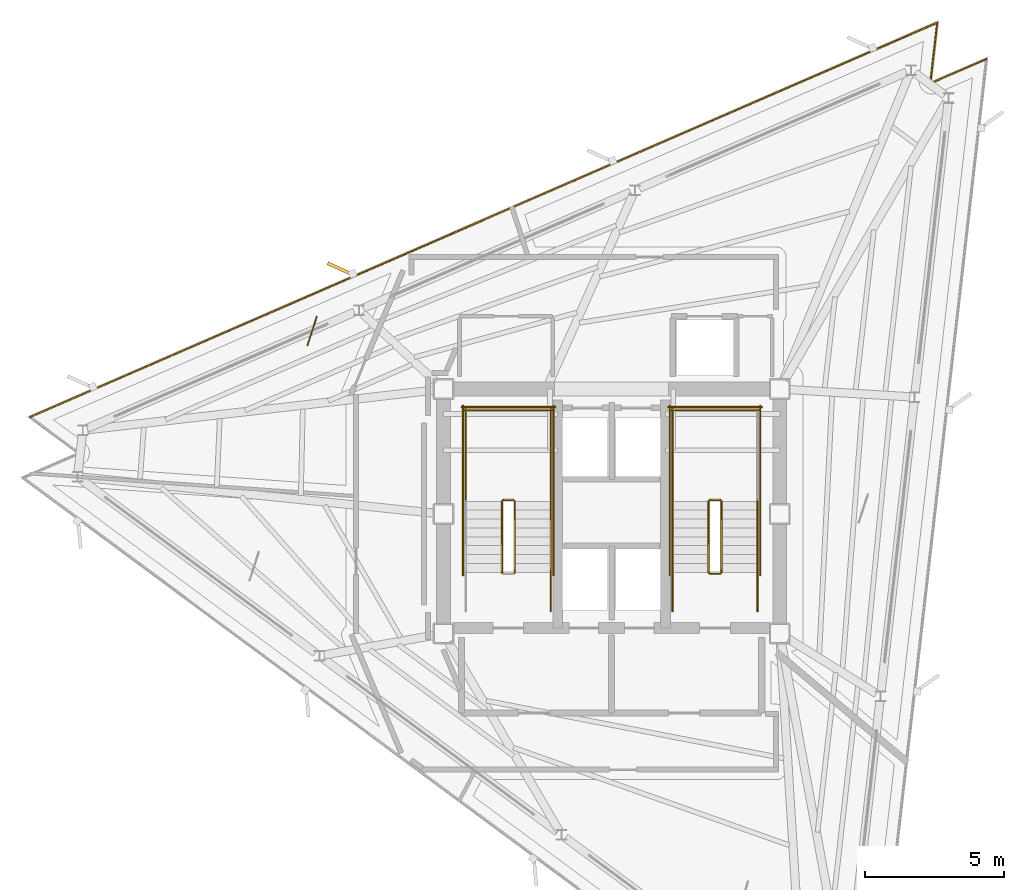
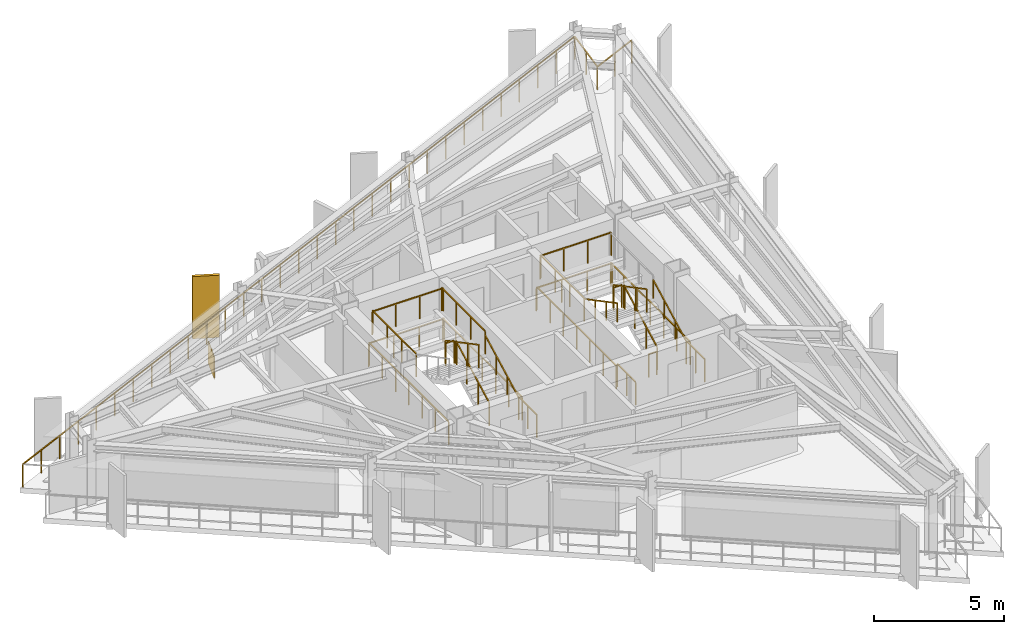
# One storey, part 8 of 9: 25 railings, 1 covering, 1 shading device.
"""IFC4 building model written with IfcOpenShell, lengths in metres."""

from ifc_helpers import new_model, si_unit, direction, frame, origin, origin_2d, place, context, subcontext, project, spatial, rectangle, extrude, material, layer, layer_set, type_object, element, save


model = new_model("IFC4")

# Units and contexts
model_context = context("Model", 3, precision=1e-05, world=origin(), true_north=direction((0.0, 1.0)))
body_context = subcontext(model_context, "Body", "Model", "MODEL_VIEW")
ifc_project = project(units=[si_unit("LENGTHUNIT", "METRE"), si_unit("AREAUNIT", "SQUARE_METRE"), si_unit("VOLUMEUNIT", "CUBIC_METRE"), si_unit("PLANEANGLEUNIT", "RADIAN"), si_unit("MASSUNIT", "GRAM", prefix="KILO")], contexts=[model_context])

# Site, building, storey
site_placement = place(None, origin())
site = spatial("IfcSite", under=ifc_project, at=site_placement, CompositionType="ELEMENT")
building_placement = place(site_placement, origin())
building = spatial("IfcBuilding", under=site, at=building_placement, Name="Rocaltana Carrier Exchange", CompositionType="ELEMENT")
storey_placement = place(building_placement, frame((0.0, 0.0, 233.1201171875)))
storey = spatial("IfcBuildingStorey", under=building, at=storey_placement, Name="L74", CompositionType="ELEMENT", Elevation=233.1201171875)

# Railings
ifc_material_1 = material(Name="Brushed Architectural Stainless Tube", Category="steel")
ifc_layer_1 = layer(ifc_material_1, 0.048095703125)
ifc_layer_set_1 = layer_set([ifc_layer_1], Name="Brushed Architectural Stainless Tube")
railing_type_1 = type_object("IfcRailingType", Name="Stair Wall Handrail 920", PredefinedType="HANDRAIL", material=ifc_layer_set_1)
for number, where, name in (
    (1, (-2.18994140625, -2.10009765625, 0.168701171875), "L74 ST-1 stair handrail 1"),
    (2, (5.25, -2.10009765625, 0.168701171875), "L74 ST-2 stair handrail 1"),
):
    element("IfcRailing", number, at=place(storey_placement, frame(where)), inside=storey, type_object=railing_type_1, Name=name, PredefinedType="HANDRAIL", context=body_context, shape_type="SweptSolid", body=[
        extrude(rectangle(XDim=0.048095703125, YDim=0.048095703125, at=origin_2d()), frame((0.0, 0.0, 0.8759765625), z_axis=(0.0, 0.884394423565, 0.466740295633), x_axis=(-1.0, 0.0, 0.0)), (0.0, 0.0, 1.0), 2.894775390625),
        extrude(rectangle(XDim=0.0419921875, YDim=0.0419921875, at=origin_2d()), origin(), (0.0, 0.0, 1.0), 0.851806640625),
        extrude(rectangle(XDim=0.0419921875, YDim=0.0419921875, at=origin_2d()), frame((0.0, 0.853271484375, 0.450439453125)), (0.0, 0.0, 1.0), 0.851806640625),
        extrude(rectangle(XDim=0.0419921875, YDim=0.0419921875, at=origin_2d()), frame((0.0, 1.706787109375, 0.900634765625)), (0.0, 0.0, 1.0), 0.851806640625),
        extrude(rectangle(XDim=0.0419921875, YDim=0.0419921875, at=origin_2d()), frame((0.0, 2.56005859375, 1.35107421875)), (0.0, 0.0, 1.0), 0.851806640625),
    ])
railing_1_placement = place(storey_placement, frame((2.18994140625, 0.4599609375, 1.688720703125)))
element("IfcRailing", 3, at=railing_1_placement, inside=storey, type_object=railing_type_1, Name="L74 ST-2 stair handrail 2", PredefinedType="HANDRAIL", context=body_context, shape_type="SweptSolid", body=[
    extrude(rectangle(XDim=0.048095703125, YDim=0.048095703125, at=origin_2d()), frame((0.0, 0.0, 0.8759765625), z_axis=(0.0, -0.884394423565, 0.466740295633), x_axis=(1.0, 0.0, 0.0)), (0.0, 0.0, 1.0), 2.894775390625),
    extrude(rectangle(XDim=0.0419921875, YDim=0.0419921875, at=origin_2d()), origin(), (0.0, 0.0, 1.0), 0.851806640625),
    extrude(rectangle(XDim=0.0419921875, YDim=0.0419921875, at=origin_2d()), frame((0.0, -0.853271484375, 0.450439453125)), (0.0, 0.0, 1.0), 0.851806640625),
    extrude(rectangle(XDim=0.0419921875, YDim=0.0419921875, at=origin_2d()), frame((0.0, -1.706787109375, 0.900634765625)), (0.0, 0.0, 1.0), 0.851806640625),
    extrude(rectangle(XDim=0.0419921875, YDim=0.0419921875, at=origin_2d()), frame((0.0, -2.56005859375, 1.35107421875)), (0.0, 0.0, 1.0), 0.851806640625),
])
ifc_material_2 = material(Name="Powder-Coated Aluminium 6063-T6", Category="aluminium")
ifc_layer_2 = layer(ifc_material_2, 0.048095703125)
ifc_layer_set_2 = layer_set([ifc_layer_2], Name="Powder-Coated Aluminium 6063-T6")
railing_type_2 = type_object("IfcRailingType", Name="Stair Well Guardrail 1100", PredefinedType="GUARDRAIL", material=ifc_layer_set_2)
railing_2_placement = place(storey_placement, frame((-3.489990234375, -2.10009765625, 0.168701171875)))
element("IfcRailing", 4, at=railing_2_placement, inside=storey, type_object=railing_type_2, Name="L74 ST-1 stair guard 1", PredefinedType="GUARDRAIL", context=body_context, shape_type="SweptSolid", body=[
    extrude(rectangle(XDim=0.048095703125, YDim=0.048095703125, at=origin_2d()), frame((0.0, 0.0, 1.076171875), z_axis=(0.0, 0.884394423565, 0.466740295633), x_axis=(-1.0, 0.0, 0.0)), (0.0, 0.0, 1.0), 2.894775390625),
    extrude(rectangle(XDim=0.0419921875, YDim=0.0419921875, at=origin_2d()), origin(), (0.0, 0.0, 1.0), 1.052001953125),
    extrude(rectangle(XDim=0.0419921875, YDim=0.0419921875, at=origin_2d()), frame((0.0, 0.853271484375, 0.450439453125)), (0.0, 0.0, 1.0), 1.052001953125),
    extrude(rectangle(XDim=0.0419921875, YDim=0.0419921875, at=origin_2d()), frame((0.0, 1.706787109375, 0.900634765625)), (0.0, 0.0, 1.0), 1.052001953125),
    extrude(rectangle(XDim=0.0419921875, YDim=0.0419921875, at=origin_2d()), frame((0.0, 2.56005859375, 1.35107421875)), (0.0, 0.0, 1.0), 1.052001953125),
])
railing_3_placement = place(storey_placement, frame((-3.5400390625, 0.510009765625, 1.519775390625)))
element("IfcRailing", 5, at=railing_3_placement, inside=storey, type_object=railing_type_2, Name="L74 ST-1 stair guard 2", PredefinedType="GUARDRAIL", context=body_context, shape_type="SweptSolid", body=[
    extrude(rectangle(XDim=0.048095703125, YDim=0.048095703125, at=origin_2d()), frame((0.0, 0.0, 1.076171875), z_axis=(-1.0, 0.0, 0.0), x_axis=(0.0, -1.0, 0.0)), (0.0, 0.0, 1.0), 0.35986328125),
    extrude(rectangle(XDim=0.0419921875, YDim=0.0419921875, at=origin_2d()), origin(), (0.0, 0.0, 1.0), 1.052001953125),
    extrude(rectangle(XDim=0.0419921875, YDim=0.0419921875, at=origin_2d()), frame((-0.35986328125, 0.0, 0.0)), (0.0, 0.0, 1.0), 1.052001953125),
])
for number, where, name in (
    (6, (-2.18994140625, 0.4599609375, 1.519775390625), "L74 ST-1 stair guard 3"),
    (7, (-5.25, 0.4599609375, 1.519775390625), "L74 ST-1 stair guard 4"),
):
    element("IfcRailing", number, at=place(storey_placement, frame(where)), inside=storey, type_object=railing_type_2, Name=name, PredefinedType="GUARDRAIL", context=body_context, shape_type="SweptSolid", body=[
        extrude(rectangle(XDim=0.048095703125, YDim=0.048095703125, at=origin_2d()), frame((0.0, 0.0, 1.076171875), z_axis=(0.0, 1.0, 0.0), x_axis=(-1.0, 0.0, 0.0)), (0.0, 0.0, 1.0), 3.340087890625),
        extrude(rectangle(XDim=0.0419921875, YDim=0.0419921875, at=origin_2d()), origin(), (0.0, 0.0, 1.0), 1.052001953125),
        extrude(rectangle(XDim=0.0419921875, YDim=0.0419921875, at=origin_2d()), frame((0.0, 1.11328125, 0.0)), (0.0, 0.0, 1.0), 1.052001953125),
        extrude(rectangle(XDim=0.0419921875, YDim=0.0419921875, at=origin_2d()), frame((0.0, 2.226806640625, 0.0)), (0.0, 0.0, 1.0), 1.052001953125),
        extrude(rectangle(XDim=0.0419921875, YDim=0.0419921875, at=origin_2d()), frame((0.0, 3.340087890625, 0.0)), (0.0, 0.0, 1.0), 1.052001953125),
    ])
railing_4_placement = place(storey_placement, frame((-2.139892578125, 3.75, 1.519775390625)))
element("IfcRailing", 8, at=railing_4_placement, inside=storey, type_object=railing_type_2, Name="L74 ST-1 stair guard 5", PredefinedType="GUARDRAIL", context=body_context, shape_type="SweptSolid", body=[
    extrude(rectangle(XDim=0.048095703125, YDim=0.048095703125, at=origin_2d()), frame((0.0, 0.0, 1.076171875), z_axis=(-1.0, 0.0, 0.0), x_axis=(0.0, -1.0, 0.0)), (0.0, 0.0, 1.0), 3.16015625),
    extrude(rectangle(XDim=0.0419921875, YDim=0.0419921875, at=origin_2d()), origin(), (0.0, 0.0, 1.0), 1.052001953125),
    extrude(rectangle(XDim=0.0419921875, YDim=0.0419921875, at=origin_2d()), frame((-1.053466796875, 0.0, 0.0)), (0.0, 0.0, 1.0), 1.052001953125),
    extrude(rectangle(XDim=0.0419921875, YDim=0.0419921875, at=origin_2d()), frame((-2.106689453125, 0.0, 0.0)), (0.0, 0.0, 1.0), 1.052001953125),
    extrude(rectangle(XDim=0.0419921875, YDim=0.0419921875, at=origin_2d()), frame((-3.16015625, 0.0, 0.0)), (0.0, 0.0, 1.0), 1.052001953125),
])
railing_5_placement = place(storey_placement, frame((-3.949951171875, 0.4599609375, 1.688720703125)))
element("IfcRailing", 9, at=railing_5_placement, inside=storey, type_object=railing_type_2, Name="L74 ST-1 stair guard 6", PredefinedType="GUARDRAIL", context=body_context, shape_type="SweptSolid", body=[
    extrude(rectangle(XDim=0.048095703125, YDim=0.048095703125, at=origin_2d()), frame((0.0, 0.0, 1.076171875), z_axis=(0.0, -0.884394423565, 0.466740295633), x_axis=(1.0, 0.0, 0.0)), (0.0, 0.0, 1.0), 2.894775390625),
    extrude(rectangle(XDim=0.0419921875, YDim=0.0419921875, at=origin_2d()), origin(), (0.0, 0.0, 1.0), 1.052001953125),
    extrude(rectangle(XDim=0.0419921875, YDim=0.0419921875, at=origin_2d()), frame((0.0, -0.853271484375, 0.450439453125)), (0.0, 0.0, 1.0), 1.052001953125),
    extrude(rectangle(XDim=0.0419921875, YDim=0.0419921875, at=origin_2d()), frame((0.0, -1.706787109375, 0.900634765625)), (0.0, 0.0, 1.0), 1.052001953125),
    extrude(rectangle(XDim=0.0419921875, YDim=0.0419921875, at=origin_2d()), frame((0.0, -2.56005859375, 1.35107421875)), (0.0, 0.0, 1.0), 1.052001953125),
])
railing_6_placement = place(storey_placement, frame((-2.18994140625, -3.5, 0.0)))
element("IfcRailing", 10, at=railing_6_placement, inside=storey, type_object=railing_type_2, Name="L74 ST-1 stair guard 8", PredefinedType="GUARDRAIL", context=body_context, shape_type="SweptSolid", body=[
    extrude(rectangle(XDim=0.048095703125, YDim=0.048095703125, at=origin_2d()), frame((0.0, 0.0, 1.076171875), z_axis=(0.0, 1.0, 0.0), x_axis=(-1.0, 0.0, 0.0)), (0.0, 0.0, 1.0), 1.39990234375),
    extrude(rectangle(XDim=0.0419921875, YDim=0.0419921875, at=origin_2d()), origin(), (0.0, 0.0, 1.0), 1.052001953125),
    extrude(rectangle(XDim=0.0419921875, YDim=0.0419921875, at=origin_2d()), frame((0.0, 0.699951171875, 0.0)), (0.0, 0.0, 1.0), 1.052001953125),
    extrude(rectangle(XDim=0.0419921875, YDim=0.0419921875, at=origin_2d()), frame((0.0, 1.39990234375, 0.0)), (0.0, 0.0, 1.0), 1.052001953125),
])
for number, where, name in (
    (11, (-2.090087890625, -2.199951171875, 0.0), "L74 ST-1 stair guard 10"),
    (12, (-5.35009765625, -2.199951171875, 0.0), "L74 ST-1 stair guard 11"),
):
    element("IfcRailing", number, at=place(storey_placement, frame(where)), inside=storey, type_object=railing_type_2, Name=name, PredefinedType="GUARDRAIL", context=body_context, shape_type="SweptSolid", body=[
        extrude(rectangle(XDim=0.048095703125, YDim=0.048095703125, at=origin_2d()), frame((0.0, 0.0, 1.076171875), z_axis=(0.0, 1.0, 0.0), x_axis=(-1.0, 0.0, 0.0)), (0.0, 0.0, 1.0), 6.099853515625),
        extrude(rectangle(XDim=0.0419921875, YDim=0.0419921875, at=origin_2d()), origin(), (0.0, 0.0, 1.0), 1.052001953125),
        extrude(rectangle(XDim=0.0419921875, YDim=0.0419921875, at=origin_2d()), frame((0.0, 1.0166015625, 0.0)), (0.0, 0.0, 1.0), 1.052001953125),
        extrude(rectangle(XDim=0.0419921875, YDim=0.0419921875, at=origin_2d()), frame((0.0, 2.033203125, 0.0)), (0.0, 0.0, 1.0), 1.052001953125),
        extrude(rectangle(XDim=0.0419921875, YDim=0.0419921875, at=origin_2d()), frame((0.0, 3.0498046875, 0.0)), (0.0, 0.0, 1.0), 1.052001953125),
        extrude(rectangle(XDim=0.0419921875, YDim=0.0419921875, at=origin_2d()), frame((0.0, 4.066650390625, 0.0)), (0.0, 0.0, 1.0), 1.052001953125),
        extrude(rectangle(XDim=0.0419921875, YDim=0.0419921875, at=origin_2d()), frame((0.0, 5.083251953125, 0.0)), (0.0, 0.0, 1.0), 1.052001953125),
        extrude(rectangle(XDim=0.0419921875, YDim=0.0419921875, at=origin_2d()), frame((0.0, 6.099853515625, 0.0)), (0.0, 0.0, 1.0), 1.052001953125),
    ])
railing_7_placement = place(storey_placement, frame((-2.0400390625, 3.85009765625, 0.0)))
element("IfcRailing", 13, at=railing_7_placement, inside=storey, type_object=railing_type_2, Name="L74 ST-1 stair guard 12", PredefinedType="GUARDRAIL", context=body_context, shape_type="SweptSolid", body=[
    extrude(rectangle(XDim=0.048095703125, YDim=0.048095703125, at=origin_2d()), frame((0.0, 0.0, 1.076171875), z_axis=(-1.0, 0.0, 0.0), x_axis=(0.0, -1.0, 0.0)), (0.0, 0.0, 1.0), 3.35986328125),
    extrude(rectangle(XDim=0.0419921875, YDim=0.0419921875, at=origin_2d()), origin(), (0.0, 0.0, 1.0), 1.052001953125),
    extrude(rectangle(XDim=0.0419921875, YDim=0.0419921875, at=origin_2d()), frame((-1.119873046875, 0.0, 0.0)), (0.0, 0.0, 1.0), 1.052001953125),
    extrude(rectangle(XDim=0.0419921875, YDim=0.0419921875, at=origin_2d()), frame((-2.239990234375, 0.0, 0.0)), (0.0, 0.0, 1.0), 1.052001953125),
    extrude(rectangle(XDim=0.0419921875, YDim=0.0419921875, at=origin_2d()), frame((-3.35986328125, 0.0, 0.0)), (0.0, 0.0, 1.0), 1.052001953125),
])
railing_8_placement = place(storey_placement, frame((3.949951171875, -2.10009765625, 0.168701171875)))
element("IfcRailing", 14, at=railing_8_placement, inside=storey, type_object=railing_type_2, Name="L74 ST-2 stair guard 1", PredefinedType="GUARDRAIL", context=body_context, shape_type="SweptSolid", body=[
    extrude(rectangle(XDim=0.048095703125, YDim=0.048095703125, at=origin_2d()), frame((0.0, 0.0, 1.076171875), z_axis=(0.0, 0.884394423565, 0.466740295633), x_axis=(-1.0, 0.0, 0.0)), (0.0, 0.0, 1.0), 2.894775390625),
    extrude(rectangle(XDim=0.0419921875, YDim=0.0419921875, at=origin_2d()), origin(), (0.0, 0.0, 1.0), 1.052001953125),
    extrude(rectangle(XDim=0.0419921875, YDim=0.0419921875, at=origin_2d()), frame((0.0, 0.853271484375, 0.450439453125)), (0.0, 0.0, 1.0), 1.052001953125),
    extrude(rectangle(XDim=0.0419921875, YDim=0.0419921875, at=origin_2d()), frame((0.0, 1.706787109375, 0.900634765625)), (0.0, 0.0, 1.0), 1.052001953125),
    extrude(rectangle(XDim=0.0419921875, YDim=0.0419921875, at=origin_2d()), frame((0.0, 2.56005859375, 1.35107421875)), (0.0, 0.0, 1.0), 1.052001953125),
])
railing_9_placement = place(storey_placement, frame((3.89990234375, 0.510009765625, 1.519775390625)))
element("IfcRailing", 15, at=railing_9_placement, inside=storey, type_object=railing_type_2, Name="L74 ST-2 stair guard 2", PredefinedType="GUARDRAIL", context=body_context, shape_type="SweptSolid", body=[
    extrude(rectangle(XDim=0.048095703125, YDim=0.048095703125, at=origin_2d()), frame((0.0, 0.0, 1.076171875), z_axis=(-1.0, 0.0, 0.0), x_axis=(0.0, -1.0, 0.0)), (0.0, 0.0, 1.0), 0.35986328125),
    extrude(rectangle(XDim=0.0419921875, YDim=0.0419921875, at=origin_2d()), origin(), (0.0, 0.0, 1.0), 1.052001953125),
    extrude(rectangle(XDim=0.0419921875, YDim=0.0419921875, at=origin_2d()), frame((-0.35986328125, 0.0, 0.0)), (0.0, 0.0, 1.0), 1.052001953125),
])
railing_10_placement = place(storey_placement, frame((2.18994140625, 0.4599609375, 1.519775390625)))
element("IfcRailing", 16, at=railing_10_placement, inside=storey, type_object=railing_type_2, Name="L74 ST-2 stair guard 4", PredefinedType="GUARDRAIL", context=body_context, shape_type="SweptSolid", body=[
    extrude(rectangle(XDim=0.048095703125, YDim=0.048095703125, at=origin_2d()), frame((0.0, 0.0, 1.076171875), z_axis=(0.0, 1.0, 0.0), x_axis=(-1.0, 0.0, 0.0)), (0.0, 0.0, 1.0), 3.340087890625),
    extrude(rectangle(XDim=0.0419921875, YDim=0.0419921875, at=origin_2d()), origin(), (0.0, 0.0, 1.0), 1.052001953125),
    extrude(rectangle(XDim=0.0419921875, YDim=0.0419921875, at=origin_2d()), frame((0.0, 1.11328125, 0.0)), (0.0, 0.0, 1.0), 1.052001953125),
    extrude(rectangle(XDim=0.0419921875, YDim=0.0419921875, at=origin_2d()), frame((0.0, 2.226806640625, 0.0)), (0.0, 0.0, 1.0), 1.052001953125),
    extrude(rectangle(XDim=0.0419921875, YDim=0.0419921875, at=origin_2d()), frame((0.0, 3.340087890625, 0.0)), (0.0, 0.0, 1.0), 1.052001953125),
])
railing_11_placement = place(storey_placement, frame((5.300048828125, 3.75, 1.519775390625)))
element("IfcRailing", 17, at=railing_11_placement, inside=storey, type_object=railing_type_2, Name="L74 ST-2 stair guard 5", PredefinedType="GUARDRAIL", context=body_context, shape_type="SweptSolid", body=[
    extrude(rectangle(XDim=0.048095703125, YDim=0.048095703125, at=origin_2d()), frame((0.0, 0.0, 1.076171875), z_axis=(-1.0, 0.0, 0.0), x_axis=(0.0, -1.0, 0.0)), (0.0, 0.0, 1.0), 3.16015625),
    extrude(rectangle(XDim=0.0419921875, YDim=0.0419921875, at=origin_2d()), origin(), (0.0, 0.0, 1.0), 1.052001953125),
    extrude(rectangle(XDim=0.0419921875, YDim=0.0419921875, at=origin_2d()), frame((-1.053466796875, 0.0, 0.0)), (0.0, 0.0, 1.0), 1.052001953125),
    extrude(rectangle(XDim=0.0419921875, YDim=0.0419921875, at=origin_2d()), frame((-2.106689453125, 0.0, 0.0)), (0.0, 0.0, 1.0), 1.052001953125),
    extrude(rectangle(XDim=0.0419921875, YDim=0.0419921875, at=origin_2d()), frame((-3.16015625, 0.0, 0.0)), (0.0, 0.0, 1.0), 1.052001953125),
])
railing_12_placement = place(storey_placement, frame((3.489990234375, 0.4599609375, 1.688720703125)))
element("IfcRailing", 18, at=railing_12_placement, inside=storey, type_object=railing_type_2, Name="L74 ST-2 stair guard 6", PredefinedType="GUARDRAIL", context=body_context, shape_type="SweptSolid", body=[
    extrude(rectangle(XDim=0.048095703125, YDim=0.048095703125, at=origin_2d()), frame((0.0, 0.0, 1.076171875), z_axis=(0.0, -0.884394423565, 0.466740295633), x_axis=(1.0, 0.0, 0.0)), (0.0, 0.0, 1.0), 2.894775390625),
    extrude(rectangle(XDim=0.0419921875, YDim=0.0419921875, at=origin_2d()), origin(), (0.0, 0.0, 1.0), 1.052001953125),
    extrude(rectangle(XDim=0.0419921875, YDim=0.0419921875, at=origin_2d()), frame((0.0, -0.853271484375, 0.450439453125)), (0.0, 0.0, 1.0), 1.052001953125),
    extrude(rectangle(XDim=0.0419921875, YDim=0.0419921875, at=origin_2d()), frame((0.0, -1.706787109375, 0.900634765625)), (0.0, 0.0, 1.0), 1.052001953125),
    extrude(rectangle(XDim=0.0419921875, YDim=0.0419921875, at=origin_2d()), frame((0.0, -2.56005859375, 1.35107421875)), (0.0, 0.0, 1.0), 1.052001953125),
])
railing_13_placement = place(storey_placement, frame((3.89990234375, -2.14990234375, 0.0)))
element("IfcRailing", 19, at=railing_13_placement, inside=storey, type_object=railing_type_2, Name="L74 ST-2 stair guard 7", PredefinedType="GUARDRAIL", context=body_context, shape_type="SweptSolid", body=[
    extrude(rectangle(XDim=0.048095703125, YDim=0.048095703125, at=origin_2d()), frame((0.0, 0.0, 1.076171875), z_axis=(-1.0, 0.0, 0.0), x_axis=(0.0, -1.0, 0.0)), (0.0, 0.0, 1.0), 0.35986328125),
    extrude(rectangle(XDim=0.0419921875, YDim=0.0419921875, at=origin_2d()), origin(), (0.0, 0.0, 1.0), 1.052001953125),
    extrude(rectangle(XDim=0.0419921875, YDim=0.0419921875, at=origin_2d()), frame((-0.35986328125, 0.0, 0.0)), (0.0, 0.0, 1.0), 1.052001953125),
])
for number, where, name in (
    (20, (5.25, -3.5, 0.0), "L74 ST-2 stair guard 8"),
    (21, (2.18994140625, -3.5, 0.0), "L74 ST-2 stair guard 9"),
):
    element("IfcRailing", number, at=place(storey_placement, frame(where)), inside=storey, type_object=railing_type_2, Name=name, PredefinedType="GUARDRAIL", context=body_context, shape_type="SweptSolid", body=[
        extrude(rectangle(XDim=0.048095703125, YDim=0.048095703125, at=origin_2d()), frame((0.0, 0.0, 1.076171875), z_axis=(0.0, 1.0, 0.0), x_axis=(-1.0, 0.0, 0.0)), (0.0, 0.0, 1.0), 1.39990234375),
        extrude(rectangle(XDim=0.0419921875, YDim=0.0419921875, at=origin_2d()), origin(), (0.0, 0.0, 1.0), 1.052001953125),
        extrude(rectangle(XDim=0.0419921875, YDim=0.0419921875, at=origin_2d()), frame((0.0, 0.699951171875, 0.0)), (0.0, 0.0, 1.0), 1.052001953125),
        extrude(rectangle(XDim=0.0419921875, YDim=0.0419921875, at=origin_2d()), frame((0.0, 1.39990234375, 0.0)), (0.0, 0.0, 1.0), 1.052001953125),
    ])
for number, where, name in (
    (22, (5.35009765625, -2.199951171875, 0.0), "L74 ST-2 stair guard 10"),
    (23, (2.090087890625, -2.199951171875, 0.0), "L74 ST-2 stair guard 11"),
):
    element("IfcRailing", number, at=place(storey_placement, frame(where)), inside=storey, type_object=railing_type_2, Name=name, PredefinedType="GUARDRAIL", context=body_context, shape_type="SweptSolid", body=[
        extrude(rectangle(XDim=0.048095703125, YDim=0.048095703125, at=origin_2d()), frame((0.0, 0.0, 1.076171875), z_axis=(0.0, 1.0, 0.0), x_axis=(-1.0, 0.0, 0.0)), (0.0, 0.0, 1.0), 6.099853515625),
        extrude(rectangle(XDim=0.0419921875, YDim=0.0419921875, at=origin_2d()), origin(), (0.0, 0.0, 1.0), 1.052001953125),
        extrude(rectangle(XDim=0.0419921875, YDim=0.0419921875, at=origin_2d()), frame((0.0, 1.0166015625, 0.0)), (0.0, 0.0, 1.0), 1.052001953125),
        extrude(rectangle(XDim=0.0419921875, YDim=0.0419921875, at=origin_2d()), frame((0.0, 2.033203125, 0.0)), (0.0, 0.0, 1.0), 1.052001953125),
        extrude(rectangle(XDim=0.0419921875, YDim=0.0419921875, at=origin_2d()), frame((0.0, 3.0498046875, 0.0)), (0.0, 0.0, 1.0), 1.052001953125),
        extrude(rectangle(XDim=0.0419921875, YDim=0.0419921875, at=origin_2d()), frame((0.0, 4.066650390625, 0.0)), (0.0, 0.0, 1.0), 1.052001953125),
        extrude(rectangle(XDim=0.0419921875, YDim=0.0419921875, at=origin_2d()), frame((0.0, 5.083251953125, 0.0)), (0.0, 0.0, 1.0), 1.052001953125),
        extrude(rectangle(XDim=0.0419921875, YDim=0.0419921875, at=origin_2d()), frame((0.0, 6.099853515625, 0.0)), (0.0, 0.0, 1.0), 1.052001953125),
    ])
railing_14_placement = place(storey_placement, frame((5.39990234375, 3.85009765625, 0.0)))
element("IfcRailing", 24, at=railing_14_placement, inside=storey, type_object=railing_type_2, Name="L74 ST-2 stair guard 12", PredefinedType="GUARDRAIL", context=body_context, shape_type="SweptSolid", body=[
    extrude(rectangle(XDim=0.048095703125, YDim=0.048095703125, at=origin_2d()), frame((0.0, 0.0, 1.076171875), z_axis=(-1.0, 0.0, 0.0), x_axis=(0.0, -1.0, 0.0)), (0.0, 0.0, 1.0), 3.35986328125),
    extrude(rectangle(XDim=0.0419921875, YDim=0.0419921875, at=origin_2d()), origin(), (0.0, 0.0, 1.0), 1.052001953125),
    extrude(rectangle(XDim=0.0419921875, YDim=0.0419921875, at=origin_2d()), frame((-1.119873046875, 0.0, 0.0)), (0.0, 0.0, 1.0), 1.052001953125),
    extrude(rectangle(XDim=0.0419921875, YDim=0.0419921875, at=origin_2d()), frame((-2.239990234375, 0.0, 0.0)), (0.0, 0.0, 1.0), 1.052001953125),
    extrude(rectangle(XDim=0.0419921875, YDim=0.0419921875, at=origin_2d()), frame((-3.35986328125, 0.0, 0.0)), (0.0, 0.0, 1.0), 1.052001953125),
])

# Covering
ifc_material_3 = material(Name="Honed Piedra Muneca Sandstone", Category="masonry")
ifc_layer_3 = layer(ifc_material_3, 0.034912109375)
ifc_layer_set_3 = layer_set([ifc_layer_3], Name="Honed Piedra Muneca Sandstone")
covering_type = type_object("IfcCoveringType", Name="Stone Facade Cladding 35", PredefinedType="CLADDING", material=ifc_layer_set_3)
covering_placement = place(storey_placement, frame((-10.77978515625, 6.5869140625, 0.0), z_axis=(0.0, 0.0, 1.0), x_axis=(0.309016994375, 0.951056516295, 0.0)))
element("IfcCovering", 25, at=covering_placement, inside=storey, type_object=covering_type, Name="L74 Stone Facade Cladding Panel 4", PredefinedType="CLADDING", context=body_context, shape_type="SweptSolid", body=[
    extrude(rectangle(XDim=1.10009765625, YDim=0.034912109375, at=origin_2d()), origin(), (0.0, 0.0, 1.0), 1.050048828125),
])

# Shading device
ifc_material_4 = material(Name="Honed Bogota Sandstone & Concrete C45/55", Category="masonry")
ifc_layer_4 = layer(ifc_material_4, 0.1201171875)
ifc_layer_set_4 = layer_set([ifc_layer_4], Name="Honed Bogota Sandstone & Concrete C45/55")
shading_device_type = type_object("IfcShadingDeviceType", Name="Upper Sandstone Shading Fin 1050x120", PredefinedType="USERDEFINED", material=ifc_layer_set_4)
shading_device_placement = place(storey_placement, frame((-9.74560546875, 8.809814453125, -0.1201171875), z_axis=(0.0, 0.0, 1.0), x_axis=(-0.909961270877, 0.414693242656, 0.0)))
element("IfcShadingDevice", 26, at=shading_device_placement, inside=storey, type_object=shading_device_type, Name="L74 Sandstone Vertical Fin F2-03", ObjectType="FIN", PredefinedType="USERDEFINED", context=body_context, shape_type="SweptSolid", body=[
    extrude(rectangle(XDim=1.050048828125, YDim=0.1201171875, at=origin_2d()), origin(), (0.0, 0.0, 1.0), 2.91796875),
])

# Railing
ifc_material_5 = material(Name="Powder-Coated Aluminium 6063-T6", Category="aluminium")
ifc_layer_5 = layer(ifc_material_5, 0.06005859375)
ifc_layer_set_5 = layer_set([ifc_layer_5], Name="Powder-Coated Aluminium 6063-T6")
railing_type_3 = type_object("IfcRailingType", Name="Wind-Floor & Terrace Perimeter Guardrail 1100", PredefinedType="GUARDRAIL", material=ifc_layer_set_5)
railing_15_placement = place(storey_placement, frame((-20.923583984375, 3.490966796875, 0.0)))
element("IfcRailing", 27, at=railing_15_placement, inside=storey, type_object=railing_type_3, Name="L74 Perimeter Balcony Guardrail 2", PredefinedType="GUARDRAIL", context=body_context, shape_type="SweptSolid", body=[
    extrude(rectangle(XDim=0.048095703125, YDim=0.048095703125, at=origin_2d()), frame((0.0, 0.0, 1.076171875), z_axis=(0.917059586912, 0.398750190034, 0.0), x_axis=(-0.398750190034, 0.917059586912, 0.0)), (0.0, 0.0, 1.0), 35.59228515625),
    extrude(rectangle(XDim=0.048095703125, YDim=0.048095703125, at=origin_2d()), frame((32.64013671875, 14.1923828125, 1.076171875), z_axis=(-0.113196037832, -0.993572673245, 0.0), x_axis=(0.993572673245, -0.113196037832, 0.0)), (0.0, 0.0, 1.0), 2.199951171875),
    extrude(rectangle(XDim=0.048095703125, YDim=0.048095703125, at=origin_2d()), frame((32.39111328125, 12.006591796875, 1.076171875), z_axis=(0.917071820503, 0.398722053614, 0.0), x_axis=(-0.398722053614, 0.917071820503, 0.0)), (0.0, 0.0, 1.0), 2.199951171875),
    extrude(rectangle(XDim=0.0419921875, YDim=0.0419921875, at=origin_2d()), origin(), (0.0, 0.0, 1.0), 1.052001953125),
    extrude(rectangle(XDim=0.0419921875, YDim=0.0419921875, at=origin_2d()), frame((1.087890625, 0.47314453125, 0.0)), (0.0, 0.0, 1.0), 1.052001953125),
    extrude(rectangle(XDim=0.0419921875, YDim=0.0419921875, at=origin_2d()), frame((2.176025390625, 0.946044921875, 0.0)), (0.0, 0.0, 1.0), 1.052001953125),
    extrude(rectangle(XDim=0.0419921875, YDim=0.0419921875, at=origin_2d()), frame((3.263916015625, 1.419189453125, 0.0)), (0.0, 0.0, 1.0), 1.052001953125),
    extrude(rectangle(XDim=0.0419921875, YDim=0.0419921875, at=origin_2d()), frame((4.35205078125, 1.892333984375, 0.0)), (0.0, 0.0, 1.0), 1.052001953125),
    extrude(rectangle(XDim=0.0419921875, YDim=0.0419921875, at=origin_2d()), frame((5.43994140625, 2.365478515625, 0.0)), (0.0, 0.0, 1.0), 1.052001953125),
    extrude(rectangle(XDim=0.0419921875, YDim=0.0419921875, at=origin_2d()), frame((6.528076171875, 2.83837890625, 0.0)), (0.0, 0.0, 1.0), 1.052001953125),
    extrude(rectangle(XDim=0.0419921875, YDim=0.0419921875, at=origin_2d()), frame((7.615966796875, 3.3115234375, 0.0)), (0.0, 0.0, 1.0), 1.052001953125),
    extrude(rectangle(XDim=0.0419921875, YDim=0.0419921875, at=origin_2d()), frame((8.7041015625, 3.78466796875, 0.0)), (0.0, 0.0, 1.0), 1.052001953125),
    extrude(rectangle(XDim=0.0419921875, YDim=0.0419921875, at=origin_2d()), frame((9.7919921875, 4.2578125, 0.0)), (0.0, 0.0, 1.0), 1.052001953125),
    extrude(rectangle(XDim=0.0419921875, YDim=0.0419921875, at=origin_2d()), frame((10.880126953125, 4.730712890625, 0.0)), (0.0, 0.0, 1.0), 1.052001953125),
    extrude(rectangle(XDim=0.0419921875, YDim=0.0419921875, at=origin_2d()), frame((11.968017578125, 5.203857421875, 0.0)), (0.0, 0.0, 1.0), 1.052001953125),
    extrude(rectangle(XDim=0.0419921875, YDim=0.0419921875, at=origin_2d()), frame((13.05615234375, 5.677001953125, 0.0)), (0.0, 0.0, 1.0), 1.052001953125),
    extrude(rectangle(XDim=0.0419921875, YDim=0.0419921875, at=origin_2d()), frame((14.14404296875, 6.150146484375, 0.0)), (0.0, 0.0, 1.0), 1.052001953125),
    extrude(rectangle(XDim=0.0419921875, YDim=0.0419921875, at=origin_2d()), frame((15.232177734375, 6.623046875, 0.0)), (0.0, 0.0, 1.0), 1.052001953125),
    extrude(rectangle(XDim=0.0419921875, YDim=0.0419921875, at=origin_2d()), frame((16.320068359375, 7.09619140625, 0.0)), (0.0, 0.0, 1.0), 1.052001953125),
    extrude(rectangle(XDim=0.0419921875, YDim=0.0419921875, at=origin_2d()), frame((17.407958984375, 7.5693359375, 0.0)), (0.0, 0.0, 1.0), 1.052001953125),
    extrude(rectangle(XDim=0.0419921875, YDim=0.0419921875, at=origin_2d()), frame((18.49609375, 8.042236328125, 0.0)), (0.0, 0.0, 1.0), 1.052001953125),
    extrude(rectangle(XDim=0.0419921875, YDim=0.0419921875, at=origin_2d()), frame((19.583984375, 8.515380859375, 0.0)), (0.0, 0.0, 1.0), 1.052001953125),
    extrude(rectangle(XDim=0.0419921875, YDim=0.0419921875, at=origin_2d()), frame((20.672119140625, 8.988525390625, 0.0)), (0.0, 0.0, 1.0), 1.052001953125),
    extrude(rectangle(XDim=0.0419921875, YDim=0.0419921875, at=origin_2d()), frame((21.760009765625, 9.461669921875, 0.0)), (0.0, 0.0, 1.0), 1.052001953125),
    extrude(rectangle(XDim=0.0419921875, YDim=0.0419921875, at=origin_2d()), frame((22.84814453125, 9.9345703125, 0.0)), (0.0, 0.0, 1.0), 1.052001953125),
    extrude(rectangle(XDim=0.0419921875, YDim=0.0419921875, at=origin_2d()), frame((23.93603515625, 10.40771484375, 0.0)), (0.0, 0.0, 1.0), 1.052001953125),
    extrude(rectangle(XDim=0.0419921875, YDim=0.0419921875, at=origin_2d()), frame((25.024169921875, 10.880859375, 0.0)), (0.0, 0.0, 1.0), 1.052001953125),
    extrude(rectangle(XDim=0.0419921875, YDim=0.0419921875, at=origin_2d()), frame((26.112060546875, 11.35400390625, 0.0)), (0.0, 0.0, 1.0), 1.052001953125),
    extrude(rectangle(XDim=0.0419921875, YDim=0.0419921875, at=origin_2d()), frame((27.2001953125, 11.826904296875, 0.0)), (0.0, 0.0, 1.0), 1.052001953125),
    extrude(rectangle(XDim=0.0419921875, YDim=0.0419921875, at=origin_2d()), frame((28.2880859375, 12.300048828125, 0.0)), (0.0, 0.0, 1.0), 1.052001953125),
    extrude(rectangle(XDim=0.0419921875, YDim=0.0419921875, at=origin_2d()), frame((29.376220703125, 12.773193359375, 0.0)), (0.0, 0.0, 1.0), 1.052001953125),
    extrude(rectangle(XDim=0.0419921875, YDim=0.0419921875, at=origin_2d()), frame((30.464111328125, 13.246337890625, 0.0)), (0.0, 0.0, 1.0), 1.052001953125),
    extrude(rectangle(XDim=0.0419921875, YDim=0.0419921875, at=origin_2d()), frame((31.55224609375, 13.71923828125, 0.0)), (0.0, 0.0, 1.0), 1.052001953125),
    extrude(rectangle(XDim=0.0419921875, YDim=0.0419921875, at=origin_2d()), frame((32.64013671875, 14.1923828125, 0.0)), (0.0, 0.0, 1.0), 1.052001953125),
    extrude(rectangle(XDim=0.0419921875, YDim=0.0419921875, at=origin_2d()), frame((32.515625, 13.099609375, 0.0)), (0.0, 0.0, 1.0), 1.052001953125),
    extrude(rectangle(XDim=0.0419921875, YDim=0.0419921875, at=origin_2d()), frame((32.39111328125, 12.006591796875, 0.0)), (0.0, 0.0, 1.0), 1.052001953125),
    extrude(rectangle(XDim=0.0419921875, YDim=0.0419921875, at=origin_2d()), frame((33.39990234375, 12.4453125, 0.0)), (0.0, 0.0, 1.0), 1.052001953125),
    extrude(rectangle(XDim=0.0419921875, YDim=0.0419921875, at=origin_2d()), frame((34.40869140625, 12.8837890625, 0.0)), (0.0, 0.0, 1.0), 1.052001953125),
])

save(model, "model.ifc")
